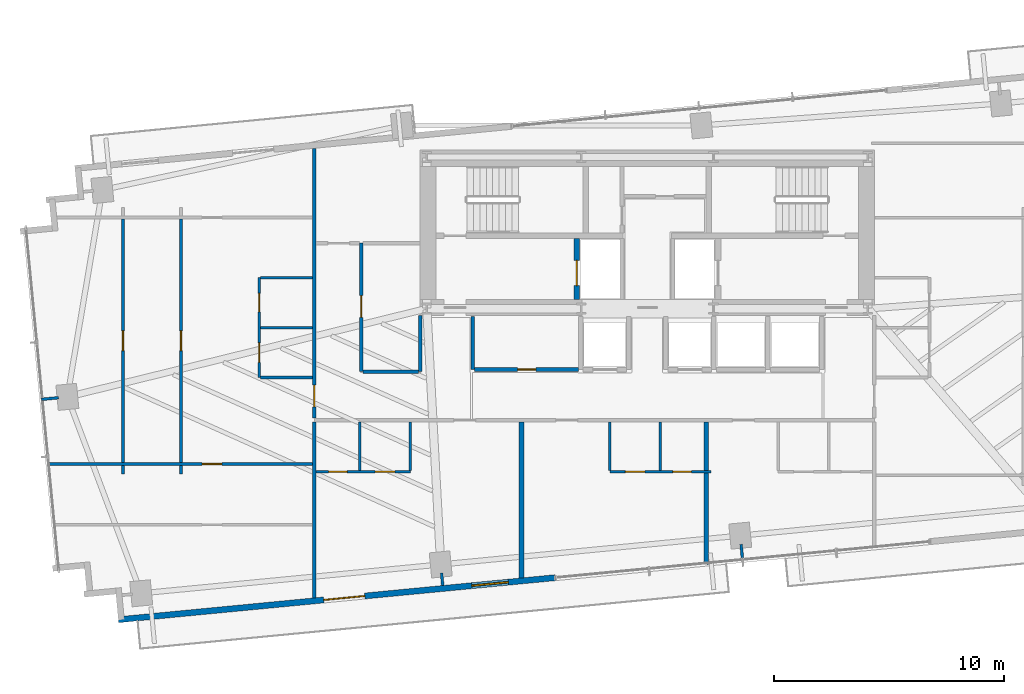
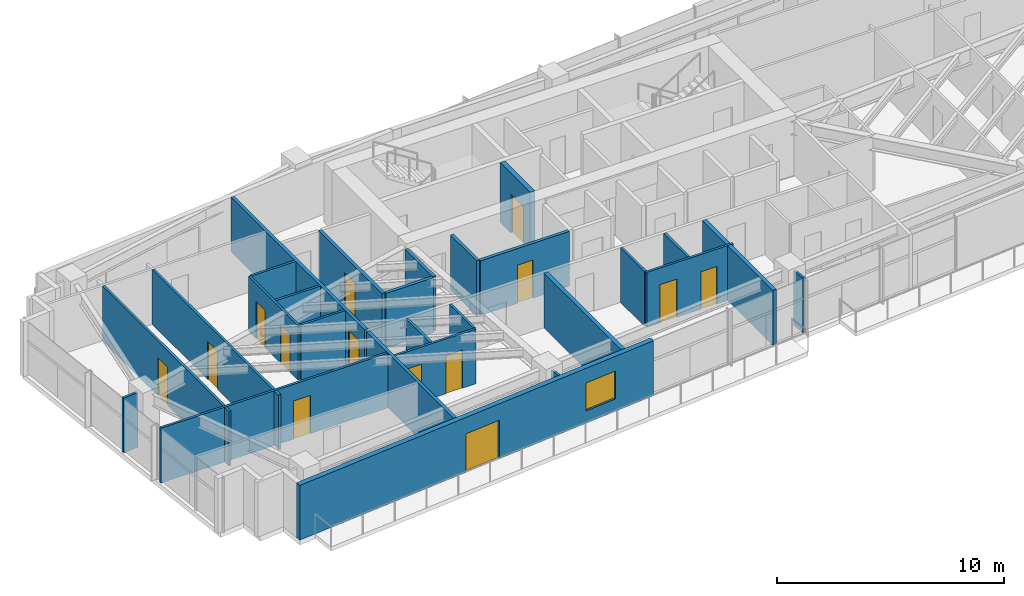
# One storey, part 19 of 25: 30 walls, 14 doors, 1 window, 15 openings.
"""IFC4 building model written with IfcOpenShell, lengths in metres."""

from ifc_helpers import new_model, si_unit, direction, frame, frame_2d, origin, place, context, subcontext, project, spatial, rectangle, extrude, source, transform, mapped, material, layer, layer_set, type_object, type_shapes, element, fill, save


model = new_model("IFC4")

# Units and contexts
model_context = context("Model", 3, precision=1e-05, world=origin(), true_north=direction((0.0, 1.0)))
body_context = subcontext(model_context, "Body", "Model", "MODEL_VIEW")
ifc_project = project(units=[si_unit("LENGTHUNIT", "METRE"), si_unit("AREAUNIT", "SQUARE_METRE"), si_unit("VOLUMEUNIT", "CUBIC_METRE"), si_unit("PLANEANGLEUNIT", "RADIAN"), si_unit("MASSUNIT", "GRAM", prefix="KILO")], contexts=[model_context])

# Site, building, storey
site_placement = place(None, origin())
site = spatial("IfcSite", under=ifc_project, at=site_placement, CompositionType="ELEMENT")
building_placement = place(site_placement, origin())
building = spatial("IfcBuilding", under=site, at=building_placement, Name="Astriad Promenade Condominiums", CompositionType="ELEMENT")
storey_placement = place(building_placement, frame((0.0, 0.0, 103.39990234375)))
storey = spatial("IfcBuildingStorey", under=building, at=storey_placement, Name="L29", CompositionType="ELEMENT", Elevation=103.39990234375)

# Wall, opening, door
ifc_material_1 = material(Name="Concrete C50/60", Category="concrete")
ifc_layer_1 = layer(ifc_material_1, 0.25)
ifc_layer_set_1 = layer_set([ifc_layer_1], Name="Concrete C50/60")
wall_type_1 = type_object("IfcWallType", Name="WALL-CORE-INT-250", PredefinedType="SOLIDWALL", material=ifc_layer_set_1)
wall_1_placement = place(storey_placement, frame((32.925048828125, 17.802001953125, 0.0), z_axis=(0.0, 0.0, 1.0), x_axis=(0.0, 1.0, 0.0)))
wall_1 = element("IfcWall", 1, at=wall_1_placement, inside=storey, type_object=wall_type_1, Name="CW-FFL1-W-L29", PredefinedType="SOLIDWALL", context=body_context, shape_type="SweptSolid", body=[
    extrude(rectangle(XDim=2.64599609375, YDim=0.25, at=frame_2d((1.322998046875, 0.0))), origin(), (0.0, 0.0, 1.0), 3.2001953125),
])
opening_1_placement = place(wall_1_placement, frame((0.597900390625, 0.0, 0.0)))
opening_1 = element("IfcOpeningElement", 2, at=opening_1_placement, cuts=wall_1, Name="Opening LD-FFL-1122", PredefinedType="OPENING", context=body_context, shape_type="SweptSolid", body=[
    extrude(rectangle(XDim=1.10009765625, YDim=2.080078125, at=frame_2d((0.550048828125, 1.0400390625))), frame((0.0, 0.135009765625, 0.0), z_axis=(0.0, -1.0, 0.0), x_axis=(1.0, 0.0, 0.0)), (0.0, 0.0, 1.0), 0.27001953125),
])
ifc_material_2 = material(Name="Brushed Stainless Steel Fire Elevator Landing Door", Category="steel")
door_type_1 = type_object("IfcDoorType", Name="LD-FFL-1122", OperationType="NOTDEFINED", PredefinedType="DOOR", material=ifc_material_2)
shared_shape_1 = source(origin(), body_context, "Body", "SweptSolid", [
    extrude(rectangle(XDim=1.10009765625, YDim=2.080078125, at=frame_2d((0.550048828125, 1.0400390625))), frame((0.0, 0.02490234375, 0.0), z_axis=(0.0, -1.0, 0.0), x_axis=(1.0, 0.0, 0.0)), (0.0, 0.0, 1.0), 0.050048828125),
])
type_shapes(door_type_1, [shared_shape_1])
door_1_placement = place(opening_1_placement, origin())
door_1 = element("IfcDoor", 3, at=door_1_placement, inside=storey, type_object=door_type_1, Name="Elevator Landing Door FFL-1 (L29)", OperationType="SLIDING_TO_LEFT", OverallHeight=2.080078125, OverallWidth=1.10009765625, PredefinedType="DOOR", context=body_context, shape_type="MappedRepresentation", body=[
    mapped(shared_shape_1, transform((0.0, 0.0, 0.0), scale=1.0)),
])
fill(opening_1, door_1)

# Wall
ifc_material_3 = material(Name="Fire-Rated Gypsum Partition")
ifc_layer_2 = layer(ifc_material_3, 0.159912109375)
ifc_layer_set_2 = layer_set([ifc_layer_2], Name="Fire-Rated Gypsum Partition")
wall_type_2 = type_object("IfcWallType", Name="WALL-CORR-160", PredefinedType="PARTITIONING", material=ifc_layer_set_2)
wall_2_placement = place(storey_placement, frame((28.39990234375, 14.75, 0.0), z_axis=(0.0, 0.0, 1.0), x_axis=(0.0, 1.0, 0.0)))
element("IfcWall", 4, at=wall_2_placement, inside=storey, type_object=wall_type_2, Name="REC-L-W-L29", PredefinedType="PARTITIONING", context=body_context, shape_type="SweptSolid", body=[
    extrude(rectangle(XDim=2.300048828125, YDim=0.159912109375, at=frame_2d((1.14990234375, 0.0))), origin(), (0.0, 0.0, 1.0), 2.940185546875),
])

# Wall, opening, door
wall_3_placement = place(storey_placement, frame((28.48193359375, 14.75, 0.0), z_axis=(0.0, 0.0, 1.0), x_axis=(1.0, 0.0, 0.0)))
wall_3 = element("IfcWall", 5, at=wall_3_placement, inside=storey, type_object=wall_type_2, Name="REC-L-S-L29", PredefinedType="PARTITIONING", context=body_context, shape_type="SweptSolid", body=[
    extrude(rectangle(XDim=4.51611328125, YDim=0.159912109375, at=frame_2d((2.258056640625, 0.0))), origin(), (0.0, 0.0, 1.0), 2.940185546875),
])
opening_2_placement = place(wall_3_placement, frame((1.867919921875, 0.0, 0.0)))
opening_2 = element("IfcOpeningElement", 6, at=opening_2_placement, cuts=wall_3, Name="Opening FD60-SV-080", PredefinedType="OPENING", context=body_context, shape_type="SweptSolid", body=[
    extrude(rectangle(XDim=0.800048828125, YDim=2.050048828125, at=frame_2d((0.39990234375, 1.02490234375))), frame((0.0, 0.08984375, 0.0), z_axis=(0.0, -1.0, 0.0), x_axis=(1.0, 0.0, 0.0)), (0.0, 0.0, 1.0), 0.179931640625),
])
ifc_material_4 = material(Name="Fire-Rated Riser Closet Door")
door_type_2 = type_object("IfcDoorType", Name="FD60-SV-080", OperationType="NOTDEFINED", PredefinedType="DOOR", material=ifc_material_4)
shared_shape_2 = source(origin(), body_context, "Body", "SweptSolid", [
    extrude(rectangle(XDim=0.800048828125, YDim=2.050048828125, at=frame_2d((0.39990234375, 1.02490234375))), frame((0.0, 0.02490234375, 0.0), z_axis=(0.0, -1.0, 0.0), x_axis=(1.0, 0.0, 0.0)), (0.0, 0.0, 1.0), 0.050048828125),
])
type_shapes(door_type_2, [shared_shape_2])
door_2_placement = place(opening_2_placement, origin())
door_2 = element("IfcDoor", 7, at=door_2_placement, inside=storey, type_object=door_type_2, Name="D-RECL-L29", OperationType="SINGLE_SWING_LEFT", OverallHeight=2.050048828125, OverallWidth=0.800048828125, PredefinedType="DOOR", context=body_context, shape_type="MappedRepresentation", body=[
    mapped(shared_shape_2, transform((0.0, 0.0, 0.0), scale=1.0)),
])
fill(opening_2, door_2)

# Wall
wall_4_placement = place(storey_placement, frame((21.5, 4.8125, 0.0), z_axis=(0.0, 0.0, 1.0), x_axis=(0.0, 1.0, 0.0)))
element("IfcWall", 8, at=wall_4_placement, inside=storey, type_object=wall_type_2, Name="PT-COR-W-L29", PredefinedType="PARTITIONING", context=body_context, shape_type="SweptSolid", body=[
    extrude(rectangle(XDim=7.655517578125, YDim=0.159912109375, at=frame_2d((3.82763671875, 0.0))), origin(), (0.0, 0.0, 1.0), 2.940185546875),
])

# Wall, opening, door
wall_5_placement = place(storey_placement, frame((21.5, 12.632080078125, 0.0), z_axis=(0.0, 0.0, 1.0), x_axis=(0.0, 1.0, 0.0)))
wall_5 = element("IfcWall", 9, at=wall_5_placement, inside=storey, type_object=wall_type_2, Name="PT-COR-W-L29-S2", PredefinedType="PARTITIONING", context=body_context, shape_type="SweptSolid", body=[
    extrude(rectangle(XDim=11.74658203125, YDim=0.159912109375, at=frame_2d((5.873291015625, 0.0))), origin(), (0.0, 0.0, 1.0), 2.940185546875),
])
opening_3_placement = place(wall_5_placement, frame((0.492919921875, 0.0, 0.0)))
opening_3 = element("IfcOpeningElement", 10, at=opening_3_placement, cuts=wall_5, Name="Opening FD60-APT-095", PredefinedType="OPENING", context=body_context, shape_type="SweptSolid", body=[
    extrude(rectangle(XDim=0.949951171875, YDim=2.06005859375, at=frame_2d((0.47509765625, 1.030029296875))), frame((0.0, 0.08984375, 0.0), z_axis=(0.0, -1.0, 0.0), x_axis=(1.0, 0.0, 0.0)), (0.0, 0.0, 1.0), 0.179931640625),
])
ifc_material_5 = material(Name="Solid-Core Acoustic Timber Residence Entry Door", Category="wood")
door_type_3 = type_object("IfcDoorType", Name="FD60-APT-095", OperationType="NOTDEFINED", PredefinedType="DOOR", material=ifc_material_5)
shared_shape_3 = source(origin(), body_context, "Body", "SweptSolid", [
    extrude(rectangle(XDim=0.949951171875, YDim=2.06005859375, at=frame_2d((0.47509765625, 1.030029296875))), frame((0.0, 0.02490234375, 0.0), z_axis=(0.0, -1.0, 0.0), x_axis=(1.0, 0.0, 0.0)), (0.0, 0.0, 1.0), 0.050048828125),
])
type_shapes(door_type_3, [shared_shape_3])
door_3_placement = place(opening_3_placement, origin())
door_3 = element("IfcDoor", 11, at=door_3_placement, inside=storey, type_object=door_type_3, Name="D-ENT-L29-W1", OperationType="SINGLE_SWING_LEFT", OverallHeight=2.06005859375, OverallWidth=0.949951171875, PredefinedType="DOOR", context=body_context, shape_type="MappedRepresentation", body=[
    mapped(shared_shape_3, transform((0.0, 0.0, 0.0), scale=1.0)),
])
fill(opening_3, door_3)

wall_6_placement = place(storey_placement, frame((23.550048828125, 14.659912109375, 0.0), z_axis=(0.0, 0.0, 1.0), x_axis=(0.0, 1.0, 0.0)))
wall_6 = element("IfcWall", 12, at=wall_6_placement, inside=storey, type_object=wall_type_2, Name="PT-HK-E-L29", PredefinedType="PARTITIONING", context=body_context, shape_type="SweptSolid", body=[
    extrude(rectangle(XDim=5.590087890625, YDim=0.159912109375, at=frame_2d((2.794921875, 0.0))), origin(), (0.0, 0.0, 1.0), 2.940185546875),
])
opening_4_placement = place(wall_6_placement, frame((2.360107421875, 0.0, 0.0)))
opening_4 = element("IfcOpeningElement", 13, at=opening_4_placement, cuts=wall_6, Name="Opening FD60-APT-095", PredefinedType="OPENING", context=body_context, shape_type="SweptSolid", body=[
    extrude(rectangle(XDim=0.949951171875, YDim=2.06005859375, at=frame_2d((0.47509765625, 1.030029296875))), frame((0.0, 0.08984375, 0.0), z_axis=(0.0, -1.0, 0.0), x_axis=(1.0, 0.0, 0.0)), (0.0, 0.0, 1.0), 0.179931640625),
])
door_4_placement = place(opening_4_placement, origin())
door_4 = element("IfcDoor", 14, at=door_4_placement, inside=storey, type_object=door_type_3, Name="D-HKA-L29", OperationType="SINGLE_SWING_RIGHT", OverallHeight=2.06005859375, OverallWidth=0.949951171875, PredefinedType="DOOR", context=body_context, shape_type="MappedRepresentation", body=[
    mapped(shared_shape_3, transform((0.0, 0.0, 0.0), scale=1.0)),
])
fill(opening_4, door_4)

# Walls
wall_7_placement = place(storey_placement, frame((26.1201171875, 14.659912109375, 0.0), z_axis=(0.0, 0.0, 1.0), x_axis=(0.0, 1.0, 0.0)))
element("IfcWall", 15, at=wall_7_placement, inside=storey, type_object=wall_type_2, Name="PT-WSPUR-W-L29", PredefinedType="PARTITIONING", context=body_context, shape_type="SweptSolid", body=[
    extrude(rectangle(XDim=2.43798828125, YDim=0.159912109375, at=frame_2d((1.218994140625, 0.0))), origin(), (0.0, 0.0, 1.0), 2.940185546875),
])
wall_8_placement = place(storey_placement, frame((23.632080078125, 14.659912109375, 0.0), z_axis=(0.0, 0.0, 1.0), x_axis=(1.0, 0.0, 0.0)))
element("IfcWall", 16, at=wall_8_placement, inside=storey, type_object=wall_type_2, Name="PT-HK-S-L29", PredefinedType="PARTITIONING", context=body_context, shape_type="SweptSolid", body=[
    extrude(rectangle(XDim=2.406005859375, YDim=0.159912109375, at=frame_2d((1.203125, 0.0))), origin(), (0.0, 0.0, 1.0), 2.940185546875),
])
ifc_material_6 = material(Name="Acoustic Double-Stud Gypsum Partition")
ifc_layer_3 = layer(ifc_material_6, 0.199951171875)
ifc_layer_set_3 = layer_set([ifc_layer_3], Name="Acoustic Double-Stud Gypsum Partition")
wall_type_3 = type_object("IfcWallType", Name="WALL-DEMISING-200", PredefinedType="PARTITIONING", material=ifc_layer_set_3)
wall_9_placement = place(storey_placement, frame((30.52099609375, 5.68115234375, 0.0), z_axis=(0.0, 0.0, 1.0), x_axis=(0.0, 1.0, 0.0)))
element("IfcWall", 17, at=wall_9_placement, inside=storey, type_object=wall_type_3, Name="PT-DEM-S1-L29", PredefinedType="PARTITIONING", context=body_context, shape_type="SweptSolid", body=[
    extrude(rectangle(XDim=6.786865234375, YDim=0.199951171875, at=frame_2d((3.3935546875, 0.0))), origin(), (0.0, 0.0, 1.0), 2.940185546875),
])
wall_10_placement = place(storey_placement, frame((38.56591796875, 6.27294921875, 0.0), z_axis=(0.0, 0.0, 1.0), x_axis=(0.0, 1.0, 0.0)))
element("IfcWall", 18, at=wall_10_placement, inside=storey, type_object=wall_type_3, Name="PT-DEM-S2-L29", PredefinedType="PARTITIONING", context=body_context, shape_type="SweptSolid", body=[
    extrude(rectangle(XDim=3.965087890625, YDim=0.199951171875, at=frame_2d((1.982421875, 0.0))), origin(), (0.0, 0.0, 1.0), 2.940185546875),
])
wall_11_placement = place(storey_placement, frame((38.56591796875, 10.362060546875, 0.0), z_axis=(0.0, 0.0, 1.0), x_axis=(0.0, 1.0, 0.0)))
element("IfcWall", 19, at=wall_11_placement, inside=storey, type_object=wall_type_3, Name="PT-DEM-S2-L29-S2", PredefinedType="PARTITIONING", context=body_context, shape_type="SweptSolid", body=[
    extrude(rectangle(XDim=2.10595703125, YDim=0.199951171875, at=frame_2d((1.052978515625, 0.0))), origin(), (0.0, 0.0, 1.0), 2.940185546875),
])

# Wall, openings, door, window
ifc_material_7 = material(Name="Precast concrete C50/60", Category="concrete")
ifc_layer_4 = layer(ifc_material_7, 0.260009765625)
ifc_layer_set_4 = layer_set([ifc_layer_4], Name="Precast concrete C50/60")
wall_type_4 = type_object("IfcWallType", Name="WALL-EXT-TWR-260", PredefinedType="STANDARD", material=ifc_layer_set_4)
wall_12_placement = place(storey_placement, frame((31.99365234375, 5.6904296875, 0.0), z_axis=(0.0, 0.0, 1.0), x_axis=(-0.995396521236, -0.095842399342, 0.0)))
wall_12 = element("IfcWall", 20, at=wall_12_placement, inside=storey, type_object=wall_type_4, Name="W-EXT-L29-S2", PredefinedType="STANDARD", context=body_context, shape_type="SweptSolid", body=[
    extrude(rectangle(XDim=19.10986328125, YDim=0.260009765625, at=frame_2d((9.554931640625, 0.0))), origin(), (0.0, 0.0, 1.0), 2.940185546875),
])
opening_5_placement = place(wall_12_placement, frame((8.330078125, 0.0, 0.0)))
opening_5 = element("IfcOpeningElement", 21, at=opening_5_placement, cuts=wall_12, Name="Opening BD-1822-SLD", PredefinedType="OPENING", context=body_context, shape_type="SweptSolid", body=[
    extrude(rectangle(XDim=1.800048828125, YDim=2.06005859375, at=frame_2d((0.89990234375, 1.030029296875))), frame((0.0, 0.139892578125, 0.0), z_axis=(0.0, -1.0, 0.0), x_axis=(1.0, 0.0, 0.0)), (0.0, 0.0, 1.0), 0.280029296875),
])
opening_6_placement = place(wall_12_placement, frame((2.050048828125, 0.0, 0.64990234375)))
opening_6 = element("IfcOpeningElement", 22, at=opening_6_placement, cuts=wall_12, Name="Opening WIN-TWR-1620", PredefinedType="OPENING", context=body_context, shape_type="SweptSolid", body=[
    extrude(rectangle(XDim=1.60009765625, YDim=1.5, at=frame_2d((0.800048828125, 0.75))), frame((0.0, 0.139892578125, 0.0), z_axis=(0.0, -1.0, 0.0), x_axis=(1.0, 0.0, 0.0)), (0.0, 0.0, 1.0), 0.280029296875),
])
ifc_material_8 = material(Name="Thermally Broken Aluminium Sliding Balcony Door", Category="aluminium")
door_type_4 = type_object("IfcDoorType", Name="BD-1822-SLD", OperationType="NOTDEFINED", PredefinedType="DOOR", material=ifc_material_8)
shared_shape_4 = source(origin(), body_context, "Body", "SweptSolid", [
    extrude(rectangle(XDim=1.800048828125, YDim=2.06005859375, at=frame_2d((0.89990234375, 1.030029296875))), frame((0.0, 0.02490234375, 0.0), z_axis=(0.0, -1.0, 0.0), x_axis=(1.0, 0.0, 0.0)), (0.0, 0.0, 1.0), 0.050048828125),
])
type_shapes(door_type_4, [shared_shape_4])
door_5_placement = place(opening_5_placement, origin())
door_5 = element("IfcDoor", 23, at=door_5_placement, inside=storey, type_object=door_type_4, Name="BD-L29-SW", OperationType="SLIDING_TO_LEFT", OverallHeight=2.06005859375, OverallWidth=1.800048828125, PredefinedType="DOOR", context=body_context, shape_type="MappedRepresentation", body=[
    mapped(shared_shape_4, transform((0.0, 0.0, 0.0), scale=1.0)),
])
fill(opening_5, door_5)
ifc_material_9 = material(Name="Dark Tinted Triple-Glazed Aluminium Window", Category="aluminium")
window_type = type_object("IfcWindowType", Name="WIN-TWR-1620", PartitioningType="SINGLE_PANEL", PredefinedType="WINDOW", material=ifc_material_9)
shared_shape_5 = source(origin(), body_context, "Body", "SweptSolid", [
    extrude(rectangle(XDim=1.60009765625, YDim=1.5, at=frame_2d((0.800048828125, 0.75))), frame((0.0, 0.030029296875, 0.0), z_axis=(0.0, -1.0, 0.0), x_axis=(1.0, 0.0, 0.0)), (0.0, 0.0, 1.0), 0.06005859375),
])
type_shapes(window_type, [shared_shape_5])
window_placement = place(opening_6_placement, origin())
window = element("IfcWindow", 24, at=window_placement, inside=storey, type_object=window_type, Name="WIN-L29-SW", OverallHeight=1.5, OverallWidth=1.60009765625, PartitioningType="SINGLE_PANEL", PredefinedType="WINDOW", context=body_context, shape_type="MappedRepresentation", body=[
    mapped(shared_shape_5, transform((0.0, 0.0, 0.0), scale=1.0)),
])
fill(opening_6, window)

# Wall, openings, doors
ifc_material_10 = material(Name="Acoustic Metal-Stud Gypsum Partition")
ifc_layer_5 = layer(ifc_material_10, 0.1201171875)
ifc_layer_set_5 = layer_set([ifc_layer_5], Name="Acoustic Metal-Stud Gypsum Partition")
wall_type_5 = type_object("IfcWallType", Name="WALL-PART-120", PredefinedType="PARTITIONING", material=ifc_layer_set_5)
wall_13_placement = place(storey_placement, frame((21.58203125, 10.300048828125, 0.0), z_axis=(0.0, 0.0, 1.0), x_axis=(1.0, 0.0, 0.0)))
wall_13 = element("IfcWall", 25, at=wall_13_placement, inside=storey, type_object=wall_type_5, Name="PT-L29-S1-PS", PredefinedType="PARTITIONING", context=body_context, shape_type="SweptSolid", body=[
    extrude(rectangle(XDim=4.097900390625, YDim=0.1201171875, at=frame_2d((2.048828125, 0.0))), origin(), (0.0, 0.0, 1.0), 2.940185546875),
])
opening_7_placement = place(wall_13_placement, frame((0.548095703125, 0.0, 0.0)))
opening_7 = element("IfcOpeningElement", 26, at=opening_7_placement, cuts=wall_13, Name="Opening D-WET-080", PredefinedType="OPENING", context=body_context, shape_type="SweptSolid", body=[
    extrude(rectangle(XDim=0.800048828125, YDim=2.02001953125, at=frame_2d((0.39990234375, 1.010009765625))), frame((0.0, 0.070068359375, 0.0), z_axis=(0.0, -1.0, 0.0), x_axis=(1.0, 0.0, 0.0)), (0.0, 0.0, 1.0), 0.14013671875),
])
opening_8_placement = place(wall_13_placement, frame((2.572998046875, 0.0, 0.0)))
opening_8 = element("IfcOpeningElement", 27, at=opening_8_placement, cuts=wall_13, Name="Opening D-INT-085", PredefinedType="OPENING", context=body_context, shape_type="SweptSolid", body=[
    extrude(rectangle(XDim=0.85009765625, YDim=2.050048828125, at=frame_2d((0.425048828125, 1.02490234375))), frame((0.0, 0.070068359375, 0.0), z_axis=(0.0, -1.0, 0.0), x_axis=(1.0, 0.0, 0.0)), (0.0, 0.0, 1.0), 0.14013671875),
])
ifc_material_11 = material(Name="Moisture-Resistant Timber Bathroom Door", Category="wood")
door_type_5 = type_object("IfcDoorType", Name="D-WET-080", OperationType="NOTDEFINED", PredefinedType="DOOR", material=ifc_material_11)
shared_shape_6 = source(origin(), body_context, "Body", "SweptSolid", [
    extrude(rectangle(XDim=0.800048828125, YDim=2.02001953125, at=frame_2d((0.39990234375, 1.010009765625))), frame((0.0, 0.02490234375, 0.0), z_axis=(0.0, -1.0, 0.0), x_axis=(1.0, 0.0, 0.0)), (0.0, 0.0, 1.0), 0.050048828125),
])
type_shapes(door_type_5, [shared_shape_6])
door_6_placement = place(opening_7_placement, origin())
door_6 = element("IfcDoor", 28, at=door_6_placement, inside=storey, type_object=door_type_5, Name="D-BTH-L29-S1", OperationType="SINGLE_SWING_LEFT", OverallHeight=2.02001953125, OverallWidth=0.800048828125, PredefinedType="DOOR", context=body_context, shape_type="MappedRepresentation", body=[
    mapped(shared_shape_6, transform((0.0, 0.0, 0.0), scale=1.0)),
])
fill(opening_7, door_6)
ifc_material_12 = material(Name="Painted Solid-Core Timber Room Door", Category="wood")
door_type_6 = type_object("IfcDoorType", Name="D-INT-085", OperationType="NOTDEFINED", PredefinedType="DOOR", material=ifc_material_12)
shared_shape_7 = source(origin(), body_context, "Body", "SweptSolid", [
    extrude(rectangle(XDim=0.85009765625, YDim=2.050048828125, at=frame_2d((0.425048828125, 1.02490234375))), frame((0.0, 0.02490234375, 0.0), z_axis=(0.0, -1.0, 0.0), x_axis=(1.0, 0.0, 0.0)), (0.0, 0.0, 1.0), 0.050048828125),
])
type_shapes(door_type_6, [shared_shape_7])
door_7_placement = place(opening_8_placement, origin())
door_7 = element("IfcDoor", 29, at=door_7_placement, inside=storey, type_object=door_type_6, Name="D-KIT-L29-S1", OperationType="SINGLE_SWING_RIGHT", OverallHeight=2.050048828125, OverallWidth=0.85009765625, PredefinedType="DOOR", context=body_context, shape_type="MappedRepresentation", body=[
    mapped(shared_shape_7, transform((0.0, 0.0, 0.0), scale=1.0)),
])
fill(opening_8, door_7)

# Walls
for number, where, z_axis, x_axis, name in (
    (30, (25.679931640625, 10.362060546875, 0.0), (0.0, 0.0, 1.0), (0.0, 1.0, 0.0), "PT-L29-S1-PK"),
    (31, (23.47998046875, 10.362060546875, 0.0), (0.0, 0.0, 1.0), (0.0, 1.0, 0.0), "PT-L29-S1-PB"),
):
    element("IfcWall", number, at=place(storey_placement, frame(where, z_axis=z_axis, x_axis=x_axis)), inside=storey, type_object=wall_type_5, Name=name, PredefinedType="PARTITIONING", context=body_context, shape_type="SweptSolid", body=[
        extrude(rectangle(XDim=2.10595703125, YDim=0.1201171875, at=frame_2d((1.052978515625, 0.0))), origin(), (0.0, 0.0, 1.0), 2.940185546875),
    ])

# Wall, openings, doors
wall_14_placement = place(storey_placement, frame((34.365966796875, 10.300048828125, 0.0), z_axis=(0.0, 0.0, 1.0), x_axis=(1.0, 0.0, 0.0)))
wall_14 = element("IfcWall", 32, at=wall_14_placement, inside=storey, type_object=wall_type_5, Name="PT-L29-S2-PS", PredefinedType="PARTITIONING", context=body_context, shape_type="SweptSolid", body=[
    extrude(rectangle(XDim=4.400146484375, YDim=0.1201171875, at=frame_2d((2.2001953125, 0.0))), origin(), (0.0, 0.0, 1.0), 2.940185546875),
])
opening_9_placement = place(wall_14_placement, frame((0.675048828125, 0.0, 0.0)))
opening_9 = element("IfcOpeningElement", 33, at=opening_9_placement, cuts=wall_14, Name="Opening D-INT-085", PredefinedType="OPENING", context=body_context, shape_type="SweptSolid", body=[
    extrude(rectangle(XDim=0.85009765625, YDim=2.050048828125, at=frame_2d((0.425048828125, 1.02490234375))), frame((0.0, 0.070068359375, 0.0), z_axis=(0.0, -1.0, 0.0), x_axis=(1.0, 0.0, 0.0)), (0.0, 0.0, 1.0), 0.14013671875),
])
opening_10_placement = place(wall_14_placement, frame((2.75, 0.0, 0.0)))
opening_10 = element("IfcOpeningElement", 34, at=opening_10_placement, cuts=wall_14, Name="Opening D-WET-080", PredefinedType="OPENING", context=body_context, shape_type="SweptSolid", body=[
    extrude(rectangle(XDim=0.800048828125, YDim=2.02001953125, at=frame_2d((0.39990234375, 1.010009765625))), frame((0.0, 0.070068359375, 0.0), z_axis=(0.0, -1.0, 0.0), x_axis=(1.0, 0.0, 0.0)), (0.0, 0.0, 1.0), 0.14013671875),
])
door_8_placement = place(opening_10_placement, origin())
door_8 = element("IfcDoor", 35, at=door_8_placement, inside=storey, type_object=door_type_5, Name="D-BTH-L29-S2", OperationType="SINGLE_SWING_LEFT", OverallHeight=2.02001953125, OverallWidth=0.800048828125, PredefinedType="DOOR", context=body_context, shape_type="MappedRepresentation", body=[
    mapped(shared_shape_6, transform((0.0, 0.0, 0.0), scale=1.0)),
])
fill(opening_10, door_8)
door_9_placement = place(opening_9_placement, origin())
door_9 = element("IfcDoor", 36, at=door_9_placement, inside=storey, type_object=door_type_6, Name="D-KIT-L29-S2", OperationType="SINGLE_SWING_RIGHT", OverallHeight=2.050048828125, OverallWidth=0.85009765625, PredefinedType="DOOR", context=body_context, shape_type="MappedRepresentation", body=[
    mapped(shared_shape_7, transform((0.0, 0.0, 0.0), scale=1.0)),
])
fill(opening_9, door_9)

# Walls
for number, where, z_axis, x_axis, name in (
    (37, (34.365966796875, 10.362060546875, 0.0), (0.0, 0.0, 1.0), (0.0, 1.0, 0.0), "PT-L29-S2-PK"),
    (38, (36.56591796875, 10.362060546875, 0.0), (0.0, 0.0, 1.0), (0.0, 1.0, 0.0), "PT-L29-S2-PB"),
):
    element("IfcWall", number, at=place(storey_placement, frame(where, z_axis=z_axis, x_axis=x_axis)), inside=storey, type_object=wall_type_5, Name=name, PredefinedType="PARTITIONING", context=body_context, shape_type="SweptSolid", body=[
        extrude(rectangle(XDim=2.10595703125, YDim=0.1201171875, at=frame_2d((1.052978515625, 0.0))), origin(), (0.0, 0.0, 1.0), 2.940185546875),
    ])

# Wall, openings, doors
wall_15_placement = place(storey_placement, frame((19.10009765625, 14.39990234375, 0.0), z_axis=(0.0, 0.0, 1.0), x_axis=(0.0, 1.0, 0.0)))
wall_15 = element("IfcWall", 39, at=wall_15_placement, inside=storey, type_object=wall_type_5, Name="PT-L29-W1-PV", PredefinedType="PARTITIONING", context=body_context, shape_type="SweptSolid", body=[
    extrude(rectangle(XDim=4.35009765625, YDim=0.1201171875, at=frame_2d((2.175048828125, 0.0))), origin(), (0.0, 0.0, 1.0), 2.940185546875),
])
opening_11_placement = place(wall_15_placement, frame((0.6630859375, 0.0, 0.0)))
opening_11 = element("IfcOpeningElement", 40, at=opening_11_placement, cuts=wall_15, Name="Opening D-INT-085", PredefinedType="OPENING", context=body_context, shape_type="SweptSolid", body=[
    extrude(rectangle(XDim=0.85009765625, YDim=2.050048828125, at=frame_2d((0.425048828125, 1.02490234375))), frame((0.0, 0.070068359375, 0.0), z_axis=(0.0, -1.0, 0.0), x_axis=(1.0, 0.0, 0.0)), (0.0, 0.0, 1.0), 0.14013671875),
])
opening_12_placement = place(wall_15_placement, frame((2.863037109375, 0.0, 0.0)))
opening_12 = element("IfcOpeningElement", 41, at=opening_12_placement, cuts=wall_15, Name="Opening D-WET-080", PredefinedType="OPENING", context=body_context, shape_type="SweptSolid", body=[
    extrude(rectangle(XDim=0.800048828125, YDim=2.02001953125, at=frame_2d((0.39990234375, 1.010009765625))), frame((0.0, 0.070068359375, 0.0), z_axis=(0.0, -1.0, 0.0), x_axis=(1.0, 0.0, 0.0)), (0.0, 0.0, 1.0), 0.14013671875),
])
door_10_placement = place(opening_12_placement, origin())
door_10 = element("IfcDoor", 42, at=door_10_placement, inside=storey, type_object=door_type_5, Name="D-BTH-L29-W1", OperationType="SINGLE_SWING_LEFT", OverallHeight=2.02001953125, OverallWidth=0.800048828125, PredefinedType="DOOR", context=body_context, shape_type="MappedRepresentation", body=[
    mapped(shared_shape_6, transform((0.0, 0.0, 0.0), scale=1.0)),
])
fill(opening_12, door_10)
door_11_placement = place(opening_11_placement, origin())
door_11 = element("IfcDoor", 43, at=door_11_placement, inside=storey, type_object=door_type_6, Name="D-KIT-L29-W1", OperationType="SINGLE_SWING_RIGHT", OverallHeight=2.050048828125, OverallWidth=0.85009765625, PredefinedType="DOOR", context=body_context, shape_type="MappedRepresentation", body=[
    mapped(shared_shape_7, transform((0.0, 0.0, 0.0), scale=1.0)),
])
fill(opening_11, door_11)

# Walls
for number, where, z_axis, x_axis, name in (
    (44, (19.162109375, 16.574951171875, 0.0), (0.0, 0.0, 1.0), (1.0, 0.0, 0.0), "PT-L29-W1-PM"),
    (45, (19.162109375, 14.39990234375, 0.0), (0.0, 0.0, 1.0), (1.0, 0.0, 0.0), "PT-L29-W1-PS"),
    (46, (19.162109375, 18.75, 0.0), (0.0, 0.0, 1.0), (1.0, 0.0, 0.0), "PT-L29-W1-PN"),
):
    element("IfcWall", number, at=place(storey_placement, frame(where, z_axis=z_axis, x_axis=x_axis)), inside=storey, type_object=wall_type_5, Name=name, PredefinedType="PARTITIONING", context=body_context, shape_type="SweptSolid", body=[
        extrude(rectangle(XDim=2.255859375, YDim=0.1201171875, at=frame_2d((1.1279296875, 0.0))), origin(), (0.0, 0.0, 1.0), 2.940185546875),
    ])

# Wall, opening, door
wall_16_placement = place(storey_placement, frame((9.8876953125, 10.636962890625, 0.0), z_axis=(0.0, 0.0, 1.0), x_axis=(1.0, 0.0, 0.0)))
wall_16 = element("IfcWall", 47, at=wall_16_placement, inside=storey, type_object=wall_type_5, Name="PT-L29-W1-WDS3", PredefinedType="PARTITIONING", context=body_context, shape_type="SweptSolid", body=[
    extrude(rectangle(XDim=11.5302734375, YDim=0.1201171875, at=frame_2d((5.76513671875, 0.0))), origin(), (0.0, 0.0, 1.0), 2.940185546875),
])
opening_13_placement = place(wall_16_placement, frame((6.735107421875, 0.0, 0.0)))
opening_13 = element("IfcOpeningElement", 48, at=opening_13_placement, cuts=wall_16, Name="Opening D-INT-085", PredefinedType="OPENING", context=body_context, shape_type="SweptSolid", body=[
    extrude(rectangle(XDim=0.85009765625, YDim=2.050048828125, at=frame_2d((0.425048828125, 1.02490234375))), frame((0.0, 0.070068359375, 0.0), z_axis=(0.0, -1.0, 0.0), x_axis=(1.0, 0.0, 0.0)), (0.0, 0.0, 1.0), 0.14013671875),
])
door_12_placement = place(opening_13_placement, origin())
door_12 = element("IfcDoor", 49, at=door_12_placement, inside=storey, type_object=door_type_6, Name="D-WDS3-L29-W1", OperationType="SINGLE_SWING_RIGHT", OverallHeight=2.050048828125, OverallWidth=0.85009765625, PredefinedType="DOOR", context=body_context, shape_type="MappedRepresentation", body=[
    mapped(shared_shape_7, transform((0.0, 0.0, 0.0), scale=1.0)),
])
fill(opening_13, door_12)

# Wall
wall_17_placement = place(storey_placement, frame((13.175048828125, 10.197021484375, 0.0), z_axis=(0.0, 0.0, 1.0), x_axis=(0.0, 1.0, 0.0)))
element("IfcWall", 50, at=wall_17_placement, inside=storey, type_object=wall_type_5, Name="PT-L29-W1-WDV4", PredefinedType="PARTITIONING", context=body_context, shape_type="SweptSolid", body=[
    extrude(rectangle(XDim=0.3779296875, YDim=0.1201171875, at=frame_2d((0.18896484375, 0.0))), origin(), (0.0, 0.0, 1.0), 2.940185546875),
])

# Wall, opening, door
wall_18_placement = place(storey_placement, frame((13.175048828125, 10.698974609375, 0.0), z_axis=(0.0, 0.0, 1.0), x_axis=(0.0, 1.0, 0.0)))
wall_18 = element("IfcWall", 51, at=wall_18_placement, inside=storey, type_object=wall_type_5, Name="PT-L29-W1-WDV4-S2", PredefinedType="PARTITIONING", context=body_context, shape_type="SweptSolid", body=[
    extrude(rectangle(XDim=10.610107421875, YDim=0.1201171875, at=frame_2d((5.30517578125, 0.0))), origin(), (0.0, 0.0, 1.0), 2.940185546875),
])
opening_14_placement = place(wall_18_placement, frame((4.8798828125, 0.0, 0.0)))
opening_14 = element("IfcOpeningElement", 52, at=opening_14_placement, cuts=wall_18, Name="Opening D-INT-085", PredefinedType="OPENING", context=body_context, shape_type="SweptSolid", body=[
    extrude(rectangle(XDim=0.85009765625, YDim=2.050048828125, at=frame_2d((0.425048828125, 1.02490234375))), frame((0.0, 0.070068359375, 0.0), z_axis=(0.0, -1.0, 0.0), x_axis=(1.0, 0.0, 0.0)), (0.0, 0.0, 1.0), 0.14013671875),
])
door_13_placement = place(opening_14_placement, origin())
door_13 = element("IfcDoor", 53, at=door_13_placement, inside=storey, type_object=door_type_6, Name="D-WDV4-L29-W1", OperationType="SINGLE_SWING_LEFT", OverallHeight=2.050048828125, OverallWidth=0.85009765625, PredefinedType="DOOR", context=body_context, shape_type="MappedRepresentation", body=[
    mapped(shared_shape_7, transform((0.0, 0.0, 0.0), scale=1.0)),
])
fill(opening_14, door_13)

# Wall
wall_19_placement = place(storey_placement, frame((15.697998046875, 10.197021484375, 0.0), z_axis=(0.0, 0.0, 1.0), x_axis=(0.0, 1.0, 0.0)))
element("IfcWall", 54, at=wall_19_placement, inside=storey, type_object=wall_type_5, Name="PT-L29-W1-WDV5", PredefinedType="PARTITIONING", context=body_context, shape_type="SweptSolid", body=[
    extrude(rectangle(XDim=0.3779296875, YDim=0.1201171875, at=frame_2d((0.18896484375, 0.0))), origin(), (0.0, 0.0, 1.0), 2.940185546875),
])

# Wall, opening, door
wall_20_placement = place(storey_placement, frame((15.697998046875, 10.698974609375, 0.0), z_axis=(0.0, 0.0, 1.0), x_axis=(0.0, 1.0, 0.0)))
wall_20 = element("IfcWall", 55, at=wall_20_placement, inside=storey, type_object=wall_type_5, Name="PT-L29-W1-WDV5-S2", PredefinedType="PARTITIONING", context=body_context, shape_type="SweptSolid", body=[
    extrude(rectangle(XDim=10.610107421875, YDim=0.1201171875, at=frame_2d((5.30517578125, 0.0))), origin(), (0.0, 0.0, 1.0), 2.940185546875),
])
opening_15_placement = place(wall_20_placement, frame((4.8798828125, 0.0, 0.0)))
opening_15 = element("IfcOpeningElement", 56, at=opening_15_placement, cuts=wall_20, Name="Opening D-INT-085", PredefinedType="OPENING", context=body_context, shape_type="SweptSolid", body=[
    extrude(rectangle(XDim=0.85009765625, YDim=2.050048828125, at=frame_2d((0.425048828125, 1.02490234375))), frame((0.0, 0.070068359375, 0.0), z_axis=(0.0, -1.0, 0.0), x_axis=(1.0, 0.0, 0.0)), (0.0, 0.0, 1.0), 0.14013671875),
])
door_14_placement = place(opening_15_placement, origin())
door_14 = element("IfcDoor", 57, at=door_14_placement, inside=storey, type_object=door_type_6, Name="D-WDV5-L29-W1", OperationType="SINGLE_SWING_RIGHT", OverallHeight=2.050048828125, OverallWidth=0.85009765625, PredefinedType="DOOR", context=body_context, shape_type="MappedRepresentation", body=[
    mapped(shared_shape_7, transform((0.0, 0.0, 0.0), scale=1.0)),
])
fill(opening_15, door_14)

# Walls
wall_21_placement = place(storey_placement, frame((27.0419921875, 5.88671875, 0.0), z_axis=(0.0, 0.0, 1.0), x_axis=(0.096222656154, -0.995359834654, 0.0)))
element("IfcWall", 58, at=wall_21_placement, inside=storey, type_object=wall_type_5, Name="PT-PIL-L29-PC02-9", PredefinedType="PARTITIONING", context=body_context, shape_type="SweptSolid", body=[
    extrude(rectangle(XDim=0.537841796875, YDim=0.1201171875, at=frame_2d((0.26904296875, 0.0))), origin(), (0.0, 0.0, 1.0), 2.940185546875),
])
wall_22_placement = place(storey_placement, frame((40.081787109375, 7.142333984375, 0.0), z_axis=(0.0, 0.0, 1.0), x_axis=(0.095944965663, -0.995386640238, 0.0)))
element("IfcWall", 59, at=wall_22_placement, inside=storey, type_object=wall_type_5, Name="PT-PIL-L29-PC03-10", PredefinedType="PARTITIONING", context=body_context, shape_type="SweptSolid", body=[
    extrude(rectangle(XDim=0.72021484375, YDim=0.1201171875, at=frame_2d((0.360107421875, 0.0))), origin(), (0.0, 0.0, 1.0), 2.940185546875),
])
wall_23_placement = place(storey_placement, frame((10.373291015625, 13.5244140625, 0.0), z_axis=(0.0, 0.0, 1.0), x_axis=(-0.995377786728, -0.096036772582, 0.0)))
element("IfcWall", 60, at=wall_23_placement, inside=storey, type_object=wall_type_5, Name="PT-PIL-L29-PC11-18", PredefinedType="PARTITIONING", context=body_context, shape_type="SweptSolid", body=[
    extrude(rectangle(XDim=0.760009765625, YDim=0.1201171875, at=frame_2d((0.3798828125, 0.0))), origin(), (0.0, 0.0, 1.0), 2.940185546875),
])

save(model, "model.ifc")
